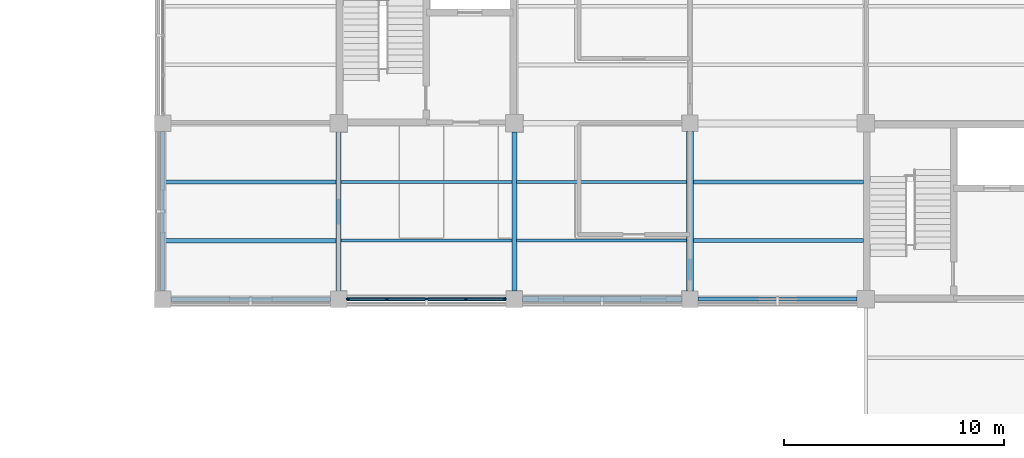
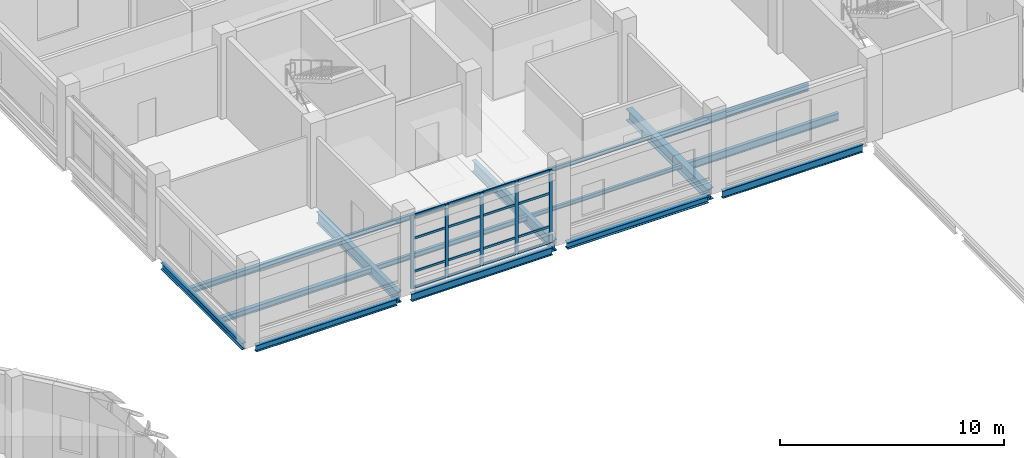
# One storey, part 53 of 121: 21 members, 16 beams, 1 element without a shape of its own.
"""IFC4 building model written with IfcOpenShell, lengths in metres."""

from ifc_helpers import new_model, si_unit, derived_unit, direction, frame, origin, origin_2d, place, context, subcontext, project, spatial, rectangle, i_section, extrude, material, layer, layer_set, material_profile, profile_set, type_object, element, aggregate, save


model = new_model("IFC4")

# Units and contexts
model_context = context("Model", 3, precision=1e-05, world=origin(), true_north=direction((0.0, 1.0)))
body_context = subcontext(model_context, "Body", "Model", "MODEL_VIEW")
ifc_project = project(units=[si_unit("LENGTHUNIT", "METRE"), si_unit("AREAUNIT", "SQUARE_METRE"), si_unit("VOLUMEUNIT", "CUBIC_METRE"), si_unit("PLANEANGLEUNIT", "RADIAN"), si_unit("MASSUNIT", "GRAM", prefix="KILO"), derived_unit("THERMALTRANSMITTANCEUNIT", [(si_unit("MASSUNIT", "GRAM", prefix="KILO"), 1), (si_unit("TIMEUNIT", "SECOND"), -3), (si_unit("THERMODYNAMICTEMPERATUREUNIT", "KELVIN"), -1)])], contexts=[model_context])

# Site, building, storey
site_placement = place(None, origin())
site = spatial("IfcSite", under=ifc_project, at=site_placement, CompositionType="ELEMENT")
building_placement = place(site_placement, origin())
building = spatial("IfcBuilding", under=site, at=building_placement, Name="Veyamyaing Civic Hall", CompositionType="ELEMENT")
storey_placement = place(building_placement, frame((0.0, 0.0, 5.280029296875)))
storey = spatial("IfcBuildingStorey", under=building, at=storey_placement, Name="L01", CompositionType="ELEMENT", Elevation=5.280029296875)

# Beams
ifc_material_1 = material(Name="Steel ASTM A992", Category="steel")
ifc_material_profile_1 = material_profile(ifc_material_1, i_section(OverallWidth=0.22998046875, OverallDepth=0.616943359375, WebThickness=0.01318359375, FlangeThickness=0.022216796875, FilletRadius=0.012939453125, at=origin_2d()), Name="W610X140")
ifc_profile_set_1 = profile_set([ifc_material_profile_1], Name="Steel ASTM A992")
beam_type_1 = type_object("IfcBeamType", Name="B-05", PredefinedType="BEAM", material=ifc_profile_set_1)
beam_1_placement = place(storey_placement, frame((136.0, 88.375, -0.553466796875), z_axis=(0.0, 1.0, 0.0), x_axis=(-1.0, 0.0, 0.0)))
element("IfcBeam", 1, at=beam_1_placement, inside=storey, type_object=beam_type_1, Name="Girder B-05 L01 Grid 18 M-N", PredefinedType="BEAM", context=body_context, shape_type="SweptSolid", body=[
    extrude(i_section(OverallWidth=0.22998046875, OverallDepth=0.616943359375, WebThickness=0.01318359375, FlangeThickness=0.022216796875, FilletRadius=0.012939453125, at=origin_2d()), origin(), (0.0, 0.0, 1.0), 7.22509765625),
])
ifc_material_profile_2 = material_profile(ifc_material_1, i_section(OverallWidth=0.22802734375, OverallDepth=0.60791015625, WebThickness=0.01123046875, FlangeThickness=0.017333984375, FilletRadius=0.012939453125, at=origin_2d()), Name="W610X113")
ifc_profile_set_2 = profile_set([ifc_material_profile_2], Name="Steel ASTM A992")
beam_type_2 = type_object("IfcBeamType", Name="B-06", PredefinedType="BEAM", material=ifc_profile_set_2)
beam_2_placement = place(storey_placement, frame((144.0, 88.375, -0.549072265625), z_axis=(0.0, 1.0, 0.0), x_axis=(-1.0, 0.0, 0.0)))
element("IfcBeam", 2, at=beam_2_placement, inside=storey, type_object=beam_type_2, Name="Girder B-06 L01 Grid 19 M-N", PredefinedType="BEAM", context=body_context, shape_type="SweptSolid", body=[
    extrude(i_section(OverallWidth=0.22802734375, OverallDepth=0.60791015625, WebThickness=0.01123046875, FlangeThickness=0.017333984375, FilletRadius=0.012939453125, at=origin_2d()), origin(), (0.0, 0.0, 1.0), 7.22509765625),
])
ifc_material_profile_3 = material_profile(ifc_material_1, i_section(OverallWidth=0.179931640625, OverallDepth=0.4130859375, WebThickness=0.009765625, FlangeThickness=0.01611328125, FilletRadius=0.010009765625, at=origin_2d()), Name="W410X74")
ifc_profile_set_3 = profile_set([ifc_material_profile_3], Name="Steel ASTM A992")
beam_type_3 = type_object("IfcBeamType", Name="B-10", PredefinedType="SPANDREL", material=ifc_profile_set_3)
beam_3_placement = place(storey_placement, frame((152.375, 88.0, -0.451416015625), z_axis=(1.0, 0.0, 0.0), x_axis=(0.0, 1.0, 0.0)))
element("IfcBeam", 3, at=beam_3_placement, inside=storey, type_object=beam_type_3, Name="Girder B-10 L01 Grid M 20-21", PredefinedType="SPANDREL", context=body_context, shape_type="SweptSolid", body=[
    extrude(i_section(OverallWidth=0.179931640625, OverallDepth=0.4130859375, WebThickness=0.009765625, FlangeThickness=0.01611328125, FilletRadius=0.010009765625, at=origin_2d()), origin(), (0.0, 0.0, 1.0), 7.22509765625),
])
ifc_material_profile_4 = material_profile(ifc_material_1, i_section(OverallWidth=0.2041015625, OverallDepth=0.35009765625, WebThickness=0.0078125, FlangeThickness=0.01513671875, FilletRadius=0.010009765625, at=origin_2d()), Name="W360X72")
ifc_profile_set_4 = profile_set([ifc_material_profile_4], Name="Steel ASTM A992")
beam_type_4 = type_object("IfcBeamType", Name="B-11", PredefinedType="SPANDREL", material=ifc_profile_set_4)
for number, where, z_axis, x_axis, name in (
    (4, (128.375, 88.0, -0.419921875), (1.0, 0.0, 0.0), (0.0, 1.0, 0.0), "Girder B-11 L01 Grid M 17-18"),
    (5, (128.0, 88.375, -0.419921875), (0.0, 1.0, 0.0), (-1.0, 0.0, 0.0), "Girder B-11 L01 Grid 17 M-N"),
):
    element("IfcBeam", number, at=place(storey_placement, frame(where, z_axis=z_axis, x_axis=x_axis)), inside=storey, type_object=beam_type_4, Name=name, PredefinedType="SPANDREL", context=body_context, shape_type="SweptSolid", body=[
        extrude(i_section(OverallWidth=0.2041015625, OverallDepth=0.35009765625, WebThickness=0.0078125, FlangeThickness=0.01513671875, FilletRadius=0.010009765625, at=origin_2d()), origin(), (0.0, 0.0, 1.0), 7.25),
    ])
ifc_material_profile_5 = material_profile(ifc_material_1, i_section(OverallWidth=0.324951171875, OverallDepth=0.615966796875, WebThickness=0.013916015625, FlangeThickness=0.021484375, FilletRadius=0.013916015625, at=origin_2d()), Name="W610X174")
ifc_profile_set_5 = profile_set([ifc_material_profile_5], Name="Steel ASTM A992")
beam_type_5 = type_object("IfcBeamType", Name="B-15", PredefinedType="BEAM", material=ifc_profile_set_5)
beam_4_placement = place(storey_placement, frame((152.0, 88.375, -0.552978515625), z_axis=(0.0, 1.0, 0.0), x_axis=(-1.0, 0.0, 0.0)))
element("IfcBeam", 6, at=beam_4_placement, inside=storey, type_object=beam_type_5, Name="Girder B-15 L01 Grid 20 M-N", PredefinedType="BEAM", context=body_context, shape_type="SweptSolid", body=[
    extrude(i_section(OverallWidth=0.324951171875, OverallDepth=0.615966796875, WebThickness=0.013916015625, FlangeThickness=0.021484375, FilletRadius=0.013916015625, at=origin_2d()), origin(), (0.0, 0.0, 1.0), 7.25),
])
ifc_material_profile_6 = material_profile(ifc_material_1, i_section(OverallWidth=0.180908203125, OverallDepth=0.4169921875, WebThickness=0.010986328125, FlangeThickness=0.018310546875, FilletRadius=0.010009765625, at=origin_2d()), Name="W410X85")
ifc_profile_set_6 = profile_set([ifc_material_profile_6], Name="Steel ASTM A992")
beam_type_6 = type_object("IfcBeamType", Name="B-19", PredefinedType="SPANDREL", material=ifc_profile_set_6)
beam_5_placement = place(storey_placement, frame((136.375, 88.0, -0.45361328125), z_axis=(1.0, 0.0, 0.0), x_axis=(0.0, 1.0, 0.0)))
element("IfcBeam", 7, at=beam_5_placement, inside=storey, type_object=beam_type_6, Name="Girder B-19 L01 Grid M 18-19", PredefinedType="SPANDREL", context=body_context, shape_type="SweptSolid", body=[
    extrude(i_section(OverallWidth=0.180908203125, OverallDepth=0.4169921875, WebThickness=0.010986328125, FlangeThickness=0.018310546875, FilletRadius=0.010009765625, at=origin_2d()), origin(), (0.0, 0.0, 1.0), 7.25),
])
ifc_material_profile_7 = material_profile(ifc_material_1, i_section(OverallWidth=0.25390625, OverallDepth=0.35302734375, WebThickness=0.009521484375, FlangeThickness=0.016357421875, FilletRadius=0.011962890625, at=origin_2d()), Name="W360X91")
ifc_profile_set_7 = profile_set([ifc_material_profile_7], Name="Steel ASTM A992")
beam_type_7 = type_object("IfcBeamType", Name="B-20", PredefinedType="SPANDREL", material=ifc_profile_set_7)
beam_6_placement = place(storey_placement, frame((144.375, 88.0, -0.421630859375), z_axis=(1.0, 0.0, 0.0), x_axis=(0.0, 1.0, 0.0)))
element("IfcBeam", 8, at=beam_6_placement, inside=storey, type_object=beam_type_7, Name="Girder B-20 L01 Grid M 19-20", PredefinedType="SPANDREL", context=body_context, shape_type="SweptSolid", body=[
    extrude(i_section(OverallWidth=0.25390625, OverallDepth=0.35302734375, WebThickness=0.009521484375, FlangeThickness=0.016357421875, FilletRadius=0.011962890625, at=origin_2d()), origin(), (0.0, 0.0, 1.0), 7.25),
])

# Curtain wall, members
ifc_material_2 = material(Name="Anodised aluminium 6063-T6", Category="aluminium")
ifc_layer = layer(ifc_material_2, 0.159912109375, Name="Anodised aluminium 6063-T6")
ifc_layer_set = layer_set([ifc_layer], Name="Anodised aluminium 6063-T6")
curtain_wall_type = type_object("IfcCurtainWallType", Name="CW-02", PredefinedType="NOTDEFINED", material=ifc_layer_set)
curtain_wall_placement = place(storey_placement, origin())
curtain_wall = element("IfcCurtainWall", 9, at=curtain_wall_placement, inside=storey, type_object=curtain_wall_type, Name="Unitized curtain wall CW-02 L01 S 18.12", PredefinedType="NOTDEFINED")
ifc_material_profile_8 = material_profile(ifc_material_2, rectangle(XDim=0.06494140625, YDim=0.159912109375, at=origin_2d()), Name="ALU-MUL-65X160")
ifc_profile_set_8 = profile_set([ifc_material_profile_8], Name="Anodised aluminium 6063-T6")
member_type_1 = type_object("IfcMemberType", Name="CWM-01", PredefinedType="MULLION", material=ifc_profile_set_8)
member_1_placement = place(storey_placement, frame((136.4375, 88.0, 0.0), z_axis=(0.0, 0.0, 1.0), x_axis=(0.0, 1.0, 0.0)))
member_1 = element("IfcMember", 10, at=member_1_placement, type_object=member_type_1, Name="CW-02 mullion 1", PredefinedType="MULLION", context=body_context, shape_type="SweptSolid", body=[
    extrude(rectangle(XDim=0.06494140625, YDim=0.159912109375, at=origin_2d()), origin(), (0.0, 0.0, 1.0), 3.973876953125),
])
member_2_placement = place(storey_placement, frame((138.202392578125, 88.0, 0.0), z_axis=(0.0, 0.0, 1.0), x_axis=(0.0, 1.0, 0.0)))
member_2 = element("IfcMember", 11, at=member_2_placement, type_object=member_type_1, Name="CW-02 mullion 2", PredefinedType="MULLION", context=body_context, shape_type="SweptSolid", body=[
    extrude(rectangle(XDim=0.06494140625, YDim=0.159912109375, at=origin_2d()), origin(), (0.0, 0.0, 1.0), 3.973876953125),
])
member_3_placement = place(storey_placement, frame((140.0, 88.0, 0.0), z_axis=(0.0, 0.0, 1.0), x_axis=(0.0, 1.0, 0.0)))
member_3 = element("IfcMember", 12, at=member_3_placement, type_object=member_type_1, Name="CW-02 mullion 3", PredefinedType="MULLION", context=body_context, shape_type="SweptSolid", body=[
    extrude(rectangle(XDim=0.06494140625, YDim=0.159912109375, at=origin_2d()), origin(), (0.0, 0.0, 1.0), 3.973876953125),
])
member_4_placement = place(storey_placement, frame((141.797607421875, 88.0, 0.0), z_axis=(0.0, 0.0, 1.0), x_axis=(0.0, 1.0, 0.0)))
member_4 = element("IfcMember", 13, at=member_4_placement, type_object=member_type_1, Name="CW-02 mullion 4", PredefinedType="MULLION", context=body_context, shape_type="SweptSolid", body=[
    extrude(rectangle(XDim=0.06494140625, YDim=0.159912109375, at=origin_2d()), origin(), (0.0, 0.0, 1.0), 3.973876953125),
])
member_5_placement = place(storey_placement, frame((143.5625, 88.0, 0.0), z_axis=(0.0, 0.0, 1.0), x_axis=(0.0, 1.0, 0.0)))
member_5 = element("IfcMember", 14, at=member_5_placement, type_object=member_type_1, Name="CW-02 mullion 5", PredefinedType="MULLION", context=body_context, shape_type="SweptSolid", body=[
    extrude(rectangle(XDim=0.06494140625, YDim=0.159912109375, at=origin_2d()), origin(), (0.0, 0.0, 1.0), 3.973876953125),
])
ifc_material_profile_9 = material_profile(ifc_material_2, rectangle(XDim=0.06494140625, YDim=0.1201171875, at=origin_2d()), Name="ALU-TRN-65X120")
ifc_profile_set_9 = profile_set([ifc_material_profile_9], Name="Anodised aluminium 6063-T6")
member_type_2 = type_object("IfcMemberType", Name="CWT-01", PredefinedType="USERDEFINED", material=ifc_profile_set_9)
member_6_placement = place(storey_placement, frame((136.469970703125, 88.0, 0.032470703125), z_axis=(1.0, 0.0, 0.0), x_axis=(0.0, 1.0, 0.0)))
member_6 = element("IfcMember", 15, at=member_6_placement, type_object=member_type_2, Name="CW-02 transom 1.1", ObjectType="TRANSOM", PredefinedType="USERDEFINED", context=body_context, shape_type="SweptSolid", body=[
    extrude(rectangle(XDim=0.06494140625, YDim=0.1201171875, at=origin_2d()), origin(), (0.0, 0.0, 1.0), 1.699951171875),
])
member_7_placement = place(storey_placement, frame((136.469970703125, 88.0, 0.89990234375), z_axis=(1.0, 0.0, 0.0), x_axis=(0.0, 1.0, 0.0)))
member_7 = element("IfcMember", 16, at=member_7_placement, type_object=member_type_2, Name="CW-02 transom 1.2", ObjectType="TRANSOM", PredefinedType="USERDEFINED", context=body_context, shape_type="SweptSolid", body=[
    extrude(rectangle(XDim=0.06494140625, YDim=0.1201171875, at=origin_2d()), origin(), (0.0, 0.0, 1.0), 1.699951171875),
])
member_8_placement = place(storey_placement, frame((136.469970703125, 88.0, 2.702392578125), z_axis=(1.0, 0.0, 0.0), x_axis=(0.0, 1.0, 0.0)))
member_8 = element("IfcMember", 17, at=member_8_placement, type_object=member_type_2, Name="CW-02 transom 1.3", ObjectType="TRANSOM", PredefinedType="USERDEFINED", context=body_context, shape_type="SweptSolid", body=[
    extrude(rectangle(XDim=0.06494140625, YDim=0.1201171875, at=origin_2d()), origin(), (0.0, 0.0, 1.0), 1.699951171875),
])
member_9_placement = place(storey_placement, frame((136.469970703125, 88.0, 3.94140625), z_axis=(1.0, 0.0, 0.0), x_axis=(0.0, 1.0, 0.0)))
member_9 = element("IfcMember", 18, at=member_9_placement, type_object=member_type_2, Name="CW-02 transom 1.4", ObjectType="TRANSOM", PredefinedType="USERDEFINED", context=body_context, shape_type="SweptSolid", body=[
    extrude(rectangle(XDim=0.06494140625, YDim=0.1201171875, at=origin_2d()), origin(), (0.0, 0.0, 1.0), 1.699951171875),
])
member_10_placement = place(storey_placement, frame((138.235107421875, 88.0, 0.032470703125), z_axis=(1.0, 0.0, 0.0), x_axis=(0.0, 1.0, 0.0)))
member_10 = element("IfcMember", 19, at=member_10_placement, type_object=member_type_2, Name="CW-02 transom 2.1", ObjectType="TRANSOM", PredefinedType="USERDEFINED", context=body_context, shape_type="SweptSolid", body=[
    extrude(rectangle(XDim=0.06494140625, YDim=0.1201171875, at=origin_2d()), origin(), (0.0, 0.0, 1.0), 1.732421875),
])
member_11_placement = place(storey_placement, frame((138.235107421875, 88.0, 0.89990234375), z_axis=(1.0, 0.0, 0.0), x_axis=(0.0, 1.0, 0.0)))
member_11 = element("IfcMember", 20, at=member_11_placement, type_object=member_type_2, Name="CW-02 transom 2.2", ObjectType="TRANSOM", PredefinedType="USERDEFINED", context=body_context, shape_type="SweptSolid", body=[
    extrude(rectangle(XDim=0.06494140625, YDim=0.1201171875, at=origin_2d()), origin(), (0.0, 0.0, 1.0), 1.732421875),
])
member_12_placement = place(storey_placement, frame((138.235107421875, 88.0, 2.702392578125), z_axis=(1.0, 0.0, 0.0), x_axis=(0.0, 1.0, 0.0)))
member_12 = element("IfcMember", 21, at=member_12_placement, type_object=member_type_2, Name="CW-02 transom 2.3", ObjectType="TRANSOM", PredefinedType="USERDEFINED", context=body_context, shape_type="SweptSolid", body=[
    extrude(rectangle(XDim=0.06494140625, YDim=0.1201171875, at=origin_2d()), origin(), (0.0, 0.0, 1.0), 1.732421875),
])
member_13_placement = place(storey_placement, frame((138.235107421875, 88.0, 3.94140625), z_axis=(1.0, 0.0, 0.0), x_axis=(0.0, 1.0, 0.0)))
member_13 = element("IfcMember", 22, at=member_13_placement, type_object=member_type_2, Name="CW-02 transom 2.4", ObjectType="TRANSOM", PredefinedType="USERDEFINED", context=body_context, shape_type="SweptSolid", body=[
    extrude(rectangle(XDim=0.06494140625, YDim=0.1201171875, at=origin_2d()), origin(), (0.0, 0.0, 1.0), 1.732421875),
])
member_14_placement = place(storey_placement, frame((140.032470703125, 88.0, 0.032470703125), z_axis=(1.0, 0.0, 0.0), x_axis=(0.0, 1.0, 0.0)))
member_14 = element("IfcMember", 23, at=member_14_placement, type_object=member_type_2, Name="CW-02 transom 3.1", ObjectType="TRANSOM", PredefinedType="USERDEFINED", context=body_context, shape_type="SweptSolid", body=[
    extrude(rectangle(XDim=0.06494140625, YDim=0.1201171875, at=origin_2d()), origin(), (0.0, 0.0, 1.0), 1.732421875),
])
member_15_placement = place(storey_placement, frame((140.032470703125, 88.0, 0.89990234375), z_axis=(1.0, 0.0, 0.0), x_axis=(0.0, 1.0, 0.0)))
member_15 = element("IfcMember", 24, at=member_15_placement, type_object=member_type_2, Name="CW-02 transom 3.2", ObjectType="TRANSOM", PredefinedType="USERDEFINED", context=body_context, shape_type="SweptSolid", body=[
    extrude(rectangle(XDim=0.06494140625, YDim=0.1201171875, at=origin_2d()), origin(), (0.0, 0.0, 1.0), 1.732421875),
])
member_16_placement = place(storey_placement, frame((140.032470703125, 88.0, 2.702392578125), z_axis=(1.0, 0.0, 0.0), x_axis=(0.0, 1.0, 0.0)))
member_16 = element("IfcMember", 25, at=member_16_placement, type_object=member_type_2, Name="CW-02 transom 3.3", ObjectType="TRANSOM", PredefinedType="USERDEFINED", context=body_context, shape_type="SweptSolid", body=[
    extrude(rectangle(XDim=0.06494140625, YDim=0.1201171875, at=origin_2d()), origin(), (0.0, 0.0, 1.0), 1.732421875),
])
member_17_placement = place(storey_placement, frame((140.032470703125, 88.0, 3.94140625), z_axis=(1.0, 0.0, 0.0), x_axis=(0.0, 1.0, 0.0)))
member_17 = element("IfcMember", 26, at=member_17_placement, type_object=member_type_2, Name="CW-02 transom 3.4", ObjectType="TRANSOM", PredefinedType="USERDEFINED", context=body_context, shape_type="SweptSolid", body=[
    extrude(rectangle(XDim=0.06494140625, YDim=0.1201171875, at=origin_2d()), origin(), (0.0, 0.0, 1.0), 1.732421875),
])
member_18_placement = place(storey_placement, frame((141.830078125, 88.0, 0.032470703125), z_axis=(1.0, 0.0, 0.0), x_axis=(0.0, 1.0, 0.0)))
member_18 = element("IfcMember", 27, at=member_18_placement, type_object=member_type_2, Name="CW-02 transom 4.1", ObjectType="TRANSOM", PredefinedType="USERDEFINED", context=body_context, shape_type="SweptSolid", body=[
    extrude(rectangle(XDim=0.06494140625, YDim=0.1201171875, at=origin_2d()), origin(), (0.0, 0.0, 1.0), 1.699951171875),
])
member_19_placement = place(storey_placement, frame((141.830078125, 88.0, 0.89990234375), z_axis=(1.0, 0.0, 0.0), x_axis=(0.0, 1.0, 0.0)))
member_19 = element("IfcMember", 28, at=member_19_placement, type_object=member_type_2, Name="CW-02 transom 4.2", ObjectType="TRANSOM", PredefinedType="USERDEFINED", context=body_context, shape_type="SweptSolid", body=[
    extrude(rectangle(XDim=0.06494140625, YDim=0.1201171875, at=origin_2d()), origin(), (0.0, 0.0, 1.0), 1.699951171875),
])
member_20_placement = place(storey_placement, frame((141.830078125, 88.0, 2.702392578125), z_axis=(1.0, 0.0, 0.0), x_axis=(0.0, 1.0, 0.0)))
member_20 = element("IfcMember", 29, at=member_20_placement, type_object=member_type_2, Name="CW-02 transom 4.3", ObjectType="TRANSOM", PredefinedType="USERDEFINED", context=body_context, shape_type="SweptSolid", body=[
    extrude(rectangle(XDim=0.06494140625, YDim=0.1201171875, at=origin_2d()), origin(), (0.0, 0.0, 1.0), 1.699951171875),
])
member_21_placement = place(storey_placement, frame((141.830078125, 88.0, 3.94140625), z_axis=(1.0, 0.0, 0.0), x_axis=(0.0, 1.0, 0.0)))
member_21 = element("IfcMember", 30, at=member_21_placement, type_object=member_type_2, Name="CW-02 transom 4.4", ObjectType="TRANSOM", PredefinedType="USERDEFINED", context=body_context, shape_type="SweptSolid", body=[
    extrude(rectangle(XDim=0.06494140625, YDim=0.1201171875, at=origin_2d()), origin(), (0.0, 0.0, 1.0), 1.699951171875),
])
aggregate(curtain_wall, [member_1, member_2, member_3, member_4, member_5, member_6, member_7, member_8, member_9, member_10, member_11, member_12, member_13, member_14, member_15, member_16, member_17, member_18, member_19, member_20, member_21])

# Beams
ifc_material_profile_10 = material_profile(ifc_material_1, i_section(OverallWidth=0.177978515625, OverallDepth=0.406982421875, WebThickness=0.0078125, FlangeThickness=0.0126953125, FilletRadius=0.010009765625, at=origin_2d()), Name="W410X60")
ifc_profile_set_10 = profile_set([ifc_material_profile_10], Name="Steel ASTM A992")
beam_type_8 = type_object("IfcBeamType", Name="J-01", PredefinedType="JOIST", material=ifc_profile_set_10)
for number, where, z_axis, x_axis, name in (
    (31, (152.160400390625, 90.666748046875, -0.448486328125), (1.0, 0.0, 0.0), (0.0, 1.0, 0.0), "Composite floor joist J-01 L01 20.12.1"),
    (32, (152.160400390625, 93.333251953125, -0.448486328125), (1.0, 0.0, 0.0), (0.0, 1.0, 0.0), "Composite floor joist J-01 L01 20.12.2"),
):
    element("IfcBeam", number, at=place(storey_placement, frame(where, z_axis=z_axis, x_axis=x_axis)), inside=storey, type_object=beam_type_8, Name=name, PredefinedType="JOIST", context=body_context, shape_type="SweptSolid", body=[
        extrude(i_section(OverallWidth=0.177978515625, OverallDepth=0.406982421875, WebThickness=0.0078125, FlangeThickness=0.0126953125, FilletRadius=0.010009765625, at=origin_2d()), origin(), (0.0, 0.0, 1.0), 7.734619140625),
    ])
ifc_material_profile_11 = material_profile(ifc_material_1, i_section(OverallWidth=0.2041015625, OverallDepth=0.305908203125, WebThickness=0.008544921875, FlangeThickness=0.0146484375, FilletRadius=0.010009765625, at=origin_2d()), Name="W310X67")
ifc_profile_set_11 = profile_set([ifc_material_profile_11], Name="Steel ASTM A992")
beam_type_9 = type_object("IfcBeamType", Name="J-06", PredefinedType="JOIST", material=ifc_profile_set_11)
for number, where, z_axis, x_axis, name in (
    (33, (128.10009765625, 90.666748046875, -0.39794921875), (1.0, 0.0, 0.0), (0.0, 1.0, 0.0), "Composite floor joist J-06 L01 17.12.1"),
    (34, (128.10009765625, 93.333251953125, -0.39794921875), (1.0, 0.0, 0.0), (0.0, 1.0, 0.0), "Composite floor joist J-06 L01 17.12.2"),
):
    element("IfcBeam", number, at=place(storey_placement, frame(where, z_axis=z_axis, x_axis=x_axis)), inside=storey, type_object=beam_type_9, Name=name, PredefinedType="JOIST", context=body_context, shape_type="SweptSolid", body=[
        extrude(i_section(OverallWidth=0.2041015625, OverallDepth=0.305908203125, WebThickness=0.008544921875, FlangeThickness=0.0146484375, FilletRadius=0.010009765625, at=origin_2d()), origin(), (0.0, 0.0, 1.0), 7.786865234375),
    ])
ifc_material_profile_12 = material_profile(ifc_material_1, i_section(OverallWidth=0.14794921875, OverallDepth=0.26611328125, WebThickness=0.007568359375, FlangeThickness=0.012939453125, FilletRadius=0.010009765625, at=origin_2d()), Name="W250X45")
ifc_profile_set_12 = profile_set([ifc_material_profile_12], Name="Steel ASTM A992")
beam_type_10 = type_object("IfcBeamType", Name="J-07", PredefinedType="JOIST", material=ifc_profile_set_12)
for number, where, z_axis, x_axis, name in (
    (35, (136.113037109375, 90.666748046875, -0.3779296875), (1.0, 0.0, 0.0), (0.0, 1.0, 0.0), "Composite floor joist J-07 L01 18.12.1"),
    (36, (136.113037109375, 93.333251953125, -0.3779296875), (1.0, 0.0, 0.0), (0.0, 1.0, 0.0), "Composite floor joist J-07 L01 18.12.2"),
):
    element("IfcBeam", number, at=place(storey_placement, frame(where, z_axis=z_axis, x_axis=x_axis)), inside=storey, type_object=beam_type_10, Name=name, PredefinedType="JOIST", context=body_context, shape_type="SweptSolid", body=[
        extrude(i_section(OverallWidth=0.14794921875, OverallDepth=0.26611328125, WebThickness=0.007568359375, FlangeThickness=0.012939453125, FilletRadius=0.010009765625, at=origin_2d()), origin(), (0.0, 0.0, 1.0), 7.77490234375),
    ])
ifc_material_profile_13 = material_profile(ifc_material_1, i_section(OverallWidth=0.133056640625, OverallDepth=0.20703125, WebThickness=0.005859375, FlangeThickness=0.00830078125, FilletRadius=0.010009765625, at=origin_2d()), Name="W200X27")
ifc_profile_set_13 = profile_set([ifc_material_profile_13], Name="Steel ASTM A992")
beam_type_11 = type_object("IfcBeamType", Name="J-08", PredefinedType="JOIST", material=ifc_profile_set_13)
for number, where, z_axis, x_axis, name in (
    (37, (144.112060546875, 90.666748046875, -0.3486328125), (1.0, 0.0, 0.0), (0.0, 1.0, 0.0), "Composite floor joist J-08 L01 19.12.1"),
    (38, (144.112060546875, 93.333251953125, -0.3486328125), (1.0, 0.0, 0.0), (0.0, 1.0, 0.0), "Composite floor joist J-08 L01 19.12.2"),
):
    element("IfcBeam", number, at=place(storey_placement, frame(where, z_axis=z_axis, x_axis=x_axis)), inside=storey, type_object=beam_type_11, Name=name, PredefinedType="JOIST", context=body_context, shape_type="SweptSolid", body=[
        extrude(i_section(OverallWidth=0.133056640625, OverallDepth=0.20703125, WebThickness=0.005859375, FlangeThickness=0.00830078125, FilletRadius=0.010009765625, at=origin_2d()), origin(), (0.0, 0.0, 1.0), 7.7275390625),
    ])

save(model, "model.ifc")
